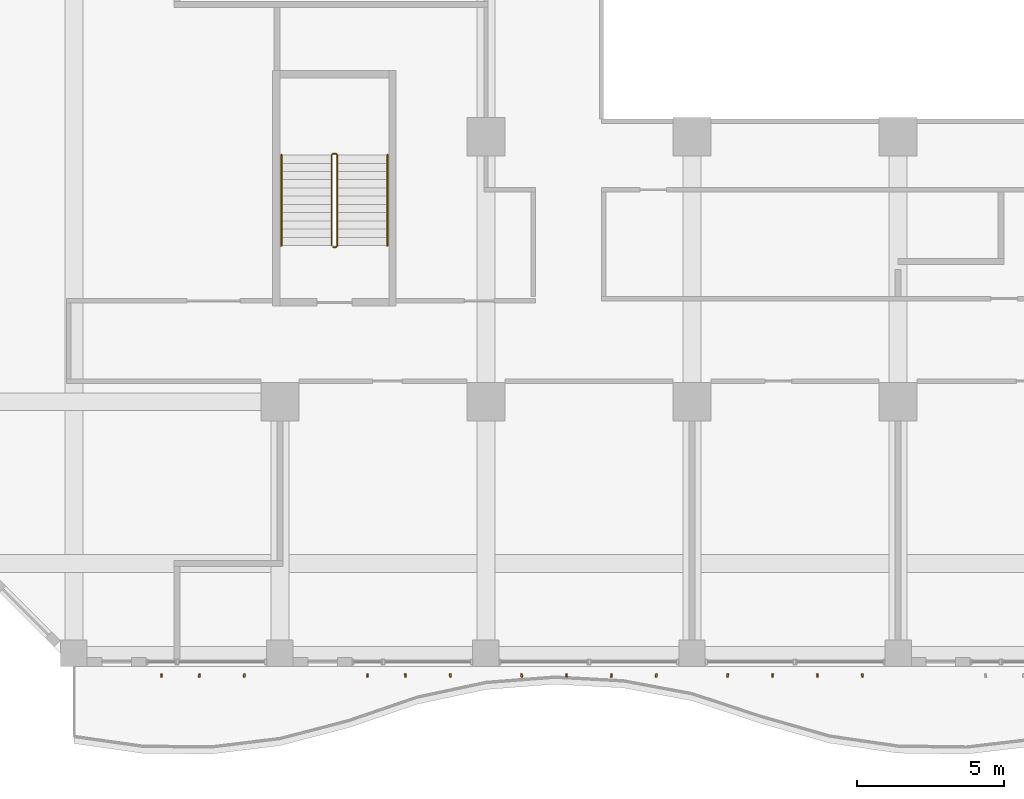
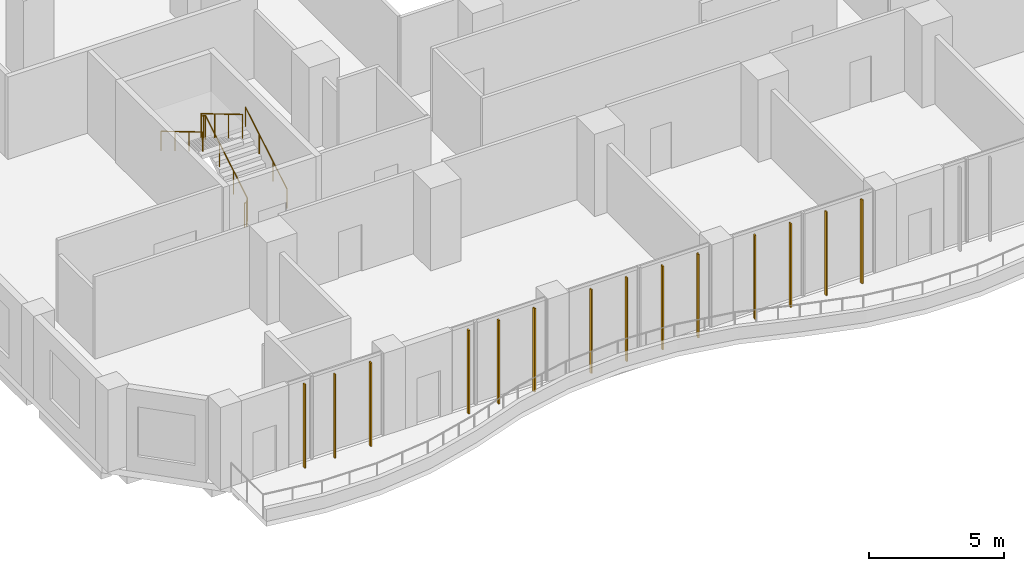
# One storey, part 20 of 27: 14 shading devices, 3 railings.
"""IFC4 building model written with IfcOpenShell, lengths in metres."""

from ifc_helpers import new_model, si_unit, direction, frame, origin, origin_2d, place, context, subcontext, project, spatial, rectangle, circle, extrude, source, transform, mapped, material, material_profile, profile_set, type_object, element, save


model = new_model("IFC4")

# Units and contexts
model_context = context("Model", 3, precision=1e-05, world=origin(), true_north=direction((0.0, 1.0)))
body_context = subcontext(model_context, "Body", "Model", "MODEL_VIEW")
ifc_project = project(units=[si_unit("LENGTHUNIT", "METRE"), si_unit("AREAUNIT", "SQUARE_METRE"), si_unit("VOLUMEUNIT", "CUBIC_METRE"), si_unit("PLANEANGLEUNIT", "RADIAN"), si_unit("MASSUNIT", "GRAM", prefix="KILO")], contexts=[model_context])

# Site, building, storey
site_placement = place(None, origin())
site = spatial("IfcSite", under=ifc_project, at=site_placement, CompositionType="ELEMENT")
building_placement = place(site_placement, origin())
building = spatial("IfcBuilding", under=site, at=building_placement, Name="Kilnfold Tower and Market Hall", CompositionType="ELEMENT")
storey_placement = place(building_placement, frame((0.0, 0.0, 51.0)))
storey = spatial("IfcBuildingStorey", under=building, at=storey_placement, Name="L11", CompositionType="ELEMENT", Elevation=51.0)

# Railings
ifc_material_1 = material(Name="Stainless steel 316", Category="steel")
railing_type_1 = type_object("IfcRailingType", Name="CORE STAIR GUARD 1100", PredefinedType="GUARDRAIL", material=ifc_material_1)
railing_1_placement = place(storey_placement, frame((-15.699951171875, -13.75, 0.0)))
element("IfcRailing", 1, at=railing_1_placement, inside=storey, type_object=railing_type_1, Name="L11 ST3 stair guard 1", PredefinedType="GUARDRAIL", context=body_context, shape_type="SweptSolid", body=[
    extrude(circle(Radius=0.02392578125, at=origin_2d()), frame((0.0, 0.0, 1.076171875), z_axis=(1.0, 0.0, 0.0), x_axis=(0.0, 1.0, 0.0)), (0.0, 0.0, 1.0), 0.099853515625),
    extrude(circle(Radius=0.02392578125, at=origin_2d()), frame((0.099853515625, 0.0, 1.076171875), z_axis=(0.27628659633, 0.27628659633, 0.920506074601), x_axis=(-0.707106781187, 0.707106781187, 0.0)), (0.0, 0.0, 1.0), 0.18115234375),
    extrude(circle(Radius=0.02392578125, at=origin_2d()), frame((0.14990234375, 0.050048828125, 1.24267578125), z_axis=(0.0, 0.859290745958, 0.51148745235), x_axis=(-1.0, 0.0, 0.0)), (0.0, 0.0, 1.0), 3.584228515625),
    extrude(circle(Radius=0.02392578125, at=origin_2d()), frame((0.14990234375, 3.1298828125, 3.076171875), z_axis=(-0.707106781187, 0.707106781187, 0.0), x_axis=(-0.707106781187, -0.707106781187, 0.0)), (0.0, 0.0, 1.0), 0.07080078125),
    extrude(circle(Radius=0.02392578125, at=origin_2d()), frame((0.099853515625, 3.179931640625, 3.076171875), z_axis=(-1.0, 0.0, 0.0), x_axis=(0.0, -1.0, 0.0)), (0.0, 0.0, 1.0), 0.099853515625),
    extrude(circle(Radius=0.02392578125, at=origin_2d()), frame((0.0, 3.179931640625, 3.076171875), z_axis=(-0.27628659633, -0.27628659633, 0.920506074601), x_axis=(0.707106781187, -0.707106781187, 0.0)), (0.0, 0.0, 1.0), 0.18115234375),
    extrude(circle(Radius=0.02392578125, at=origin_2d()), frame((-0.050048828125, 3.1298828125, 3.24267578125), z_axis=(0.0, -0.859290745958, 0.51148745235), x_axis=(1.0, 0.0, 0.0)), (0.0, 0.0, 1.0), 3.584228515625),
    extrude(circle(Radius=0.02099609375, at=origin_2d()), origin(), (0.0, 0.0, 1.0), 1.052001953125),
    extrude(circle(Radius=0.02099609375, at=origin_2d()), frame((0.099853515625, 0.0, 0.0)), (0.0, 0.0, 1.0), 1.052001953125),
    extrude(circle(Radius=0.02099609375, at=origin_2d()), frame((0.14990234375, 0.050048828125, 0.166748046875)), (0.0, 0.0, 1.0), 1.052001953125),
    extrude(circle(Radius=0.02099609375, at=origin_2d()), frame((0.14990234375, 1.07666015625, 0.77783203125)), (0.0, 0.0, 1.0), 1.052001953125),
    extrude(circle(Radius=0.02099609375, at=origin_2d()), frame((0.14990234375, 2.103271484375, 1.388916015625)), (0.0, 0.0, 1.0), 1.052001953125),
    extrude(circle(Radius=0.02099609375, at=origin_2d()), frame((0.14990234375, 3.1298828125, 2.0)), (0.0, 0.0, 1.0), 1.052001953125),
    extrude(circle(Radius=0.02099609375, at=origin_2d()), frame((0.099853515625, 3.179931640625, 2.0)), (0.0, 0.0, 1.0), 1.052001953125),
    extrude(circle(Radius=0.02099609375, at=origin_2d()), frame((0.0, 3.179931640625, 2.0)), (0.0, 0.0, 1.0), 1.052001953125),
    extrude(circle(Radius=0.02099609375, at=origin_2d()), frame((-0.050048828125, 3.1298828125, 2.166748046875)), (0.0, 0.0, 1.0), 1.052001953125),
    extrude(circle(Radius=0.02099609375, at=origin_2d()), frame((-0.050048828125, 2.103271484375, 2.77783203125)), (0.0, 0.0, 1.0), 1.052001953125),
    extrude(circle(Radius=0.02099609375, at=origin_2d()), frame((-0.050048828125, 1.07666015625, 3.388916015625)), (0.0, 0.0, 1.0), 1.052001953125),
    extrude(circle(Radius=0.02099609375, at=origin_2d()), frame((-0.050048828125, 0.050048828125, 4.0)), (0.0, 0.0, 1.0), 1.052001953125),
])
ifc_material_2 = material(Name="Stainless steel 316", Category="steel")
railing_type_2 = type_object("IfcRailingType", Name="CORE STAIR HANDRAIL 900", PredefinedType="HANDRAIL", material=ifc_material_2)
railing_2_placement = place(storey_placement, frame((-13.85009765625, -13.699951171875, 0.166748046875)))
element("IfcRailing", 2, at=railing_2_placement, inside=storey, type_object=railing_type_2, Name="L11 ST3 stair handrail 1", PredefinedType="HANDRAIL", context=body_context, shape_type="SweptSolid", body=[
    extrude(circle(Radius=0.02392578125, at=origin_2d()), frame((0.0, 0.0, 0.8759765625), z_axis=(0.0, 0.859290745958, 0.51148745235), x_axis=(-1.0, 0.0, 0.0)), (0.0, 0.0, 1.0), 3.584228515625),
    extrude(circle(Radius=0.02099609375, at=origin_2d()), origin(), (0.0, 0.0, 1.0), 0.851806640625),
    extrude(circle(Radius=0.02099609375, at=origin_2d()), frame((0.0, 1.026611328125, 0.611083984375)), (0.0, 0.0, 1.0), 0.851806640625),
    extrude(circle(Radius=0.02099609375, at=origin_2d()), frame((0.0, 2.05322265625, 1.22216796875)), (0.0, 0.0, 1.0), 0.851806640625),
    extrude(circle(Radius=0.02099609375, at=origin_2d()), frame((0.0, 3.079833984375, 1.833251953125)), (0.0, 0.0, 1.0), 0.851806640625),
])
railing_3_placement = place(storey_placement, frame((-17.449951171875, -10.6201171875, 2.166748046875)))
element("IfcRailing", 3, at=railing_3_placement, inside=storey, type_object=railing_type_2, Name="L11 ST3 stair handrail 2", PredefinedType="HANDRAIL", context=body_context, shape_type="SweptSolid", body=[
    extrude(circle(Radius=0.02392578125, at=origin_2d()), frame((0.0, 0.0, 0.8759765625), z_axis=(0.0, -0.859290745958, 0.51148745235), x_axis=(1.0, 0.0, 0.0)), (0.0, 0.0, 1.0), 3.584228515625),
    extrude(circle(Radius=0.02099609375, at=origin_2d()), origin(), (0.0, 0.0, 1.0), 0.851806640625),
    extrude(circle(Radius=0.02099609375, at=origin_2d()), frame((0.0, -1.026611328125, 0.611083984375)), (0.0, 0.0, 1.0), 0.851806640625),
    extrude(circle(Radius=0.02099609375, at=origin_2d()), frame((0.0, -2.05322265625, 1.22216796875)), (0.0, 0.0, 1.0), 0.851806640625),
    extrude(circle(Radius=0.02099609375, at=origin_2d()), frame((0.0, -3.079833984375, 1.833251953125)), (0.0, 0.0, 1.0), 0.851806640625),
])

# Shading devices
ifc_material_3 = material(Name="Terracotta", Category="masonry")
ifc_material_profile = material_profile(ifc_material_3, rectangle(XDim=0.06005859375, YDim=0.1201171875, at=origin_2d()), Name="BAG 60x120")
ifc_profile_set = profile_set([ifc_material_profile], Name="Terracotta")
shading_device_type = type_object("IfcShadingDeviceType", Name="BAGUETTE", PredefinedType="USERDEFINED", material=ifc_profile_set)
shared_shape = source(origin(), body_context, "Body", "SweptSolid", [
    extrude(rectangle(XDim=0.06005859375, YDim=0.1201171875, at=origin_2d()), origin(), (0.0, 0.0, 1.0), 3.780029296875),
])
for number, where, z_axis, x_axis, name in (
    (4, (-21.52490234375, -28.300048828125, 0.0), (0.0, 0.0, 1.0), (0.99944068486, 0.033441253657, 0.0), "Terracotta baguette L11 S"),
    (5, (-20.237548828125, -28.300048828125, 0.0), (0.0, 0.0, 1.0), (0.998940987056, -0.046009829153, 0.0), "Terracotta baguette L11 S"),
    (6, (-18.71240234375, -28.300048828125, 0.0), (0.0, 0.0, 1.0), (0.992927639794, -0.118721110732, 0.0), "Terracotta baguette L11 S"),
    (7, (-14.52490234375, -28.300048828125, 0.0), (0.0, 0.0, 1.0), (0.99944068486, -0.033441253657, 0.0), "Terracotta baguette L11 S"),
    (8, (-13.237548828125, -28.300048828125, 0.0), (0.0, 0.0, 1.0), (0.998940987056, 0.046009829153, 0.0), "Terracotta baguette L11 S"),
    (9, (-11.71240234375, -28.300048828125, 0.0), (0.0, 0.0, 1.0), (0.992927639794, 0.118721110732, 0.0), "Terracotta baguette L11 S"),
    (10, (-9.28759765625, -28.300048828125, 0.0), (0.0, 0.0, 1.0), (0.992819274235, 0.119623947051, 0.0), "Terracotta baguette L11 S"),
    (11, (-7.762451171875, -28.300048828125, 0.0), (0.0, 0.0, 1.0), (0.998863576341, 0.047660841992, 0.0), "Terracotta baguette L11 S"),
    (12, (-6.237548828125, -28.300048828125, 0.0), (0.0, 0.0, 1.0), (0.998940987056, -0.046009829153, 0.0), "Terracotta baguette L11 S"),
    (13, (-4.71240234375, -28.300048828125, 0.0), (0.0, 0.0, 1.0), (0.992927639794, -0.118721110732, 0.0), "Terracotta baguette L11 S"),
    (14, (-2.28759765625, -28.300048828125, 0.0), (0.0, 0.0, 1.0), (0.992819274235, -0.119623947051, 0.0), "Terracotta baguette L11 S"),
    (15, (-0.762451171875, -28.300048828125, 0.0), (0.0, 0.0, 1.0), (0.998863576341, -0.047660841992, 0.0), "Terracotta baguette L11 S"),
    (16, (0.762451171875, -28.300048828125, 0.0), (0.0, 0.0, 1.0), (0.998940987056, 0.046009829153, 0.0), "Terracotta baguette L11 S"),
    (17, (2.28759765625, -28.300048828125, 0.0), (0.0, 0.0, 1.0), (0.992927639794, 0.118721110732, 0.0), "Terracotta baguette L11 S"),
):
    element("IfcShadingDevice", number, at=place(storey_placement, frame(where, z_axis=z_axis, x_axis=x_axis)), inside=storey, type_object=shading_device_type, Name=name, ObjectType="BAGUETTE", PredefinedType="USERDEFINED", context=body_context, shape_type="MappedRepresentation", body=[
        mapped(shared_shape, transform((0.0, 0.0, 0.0))),
    ])

save(model, "model.ifc")
